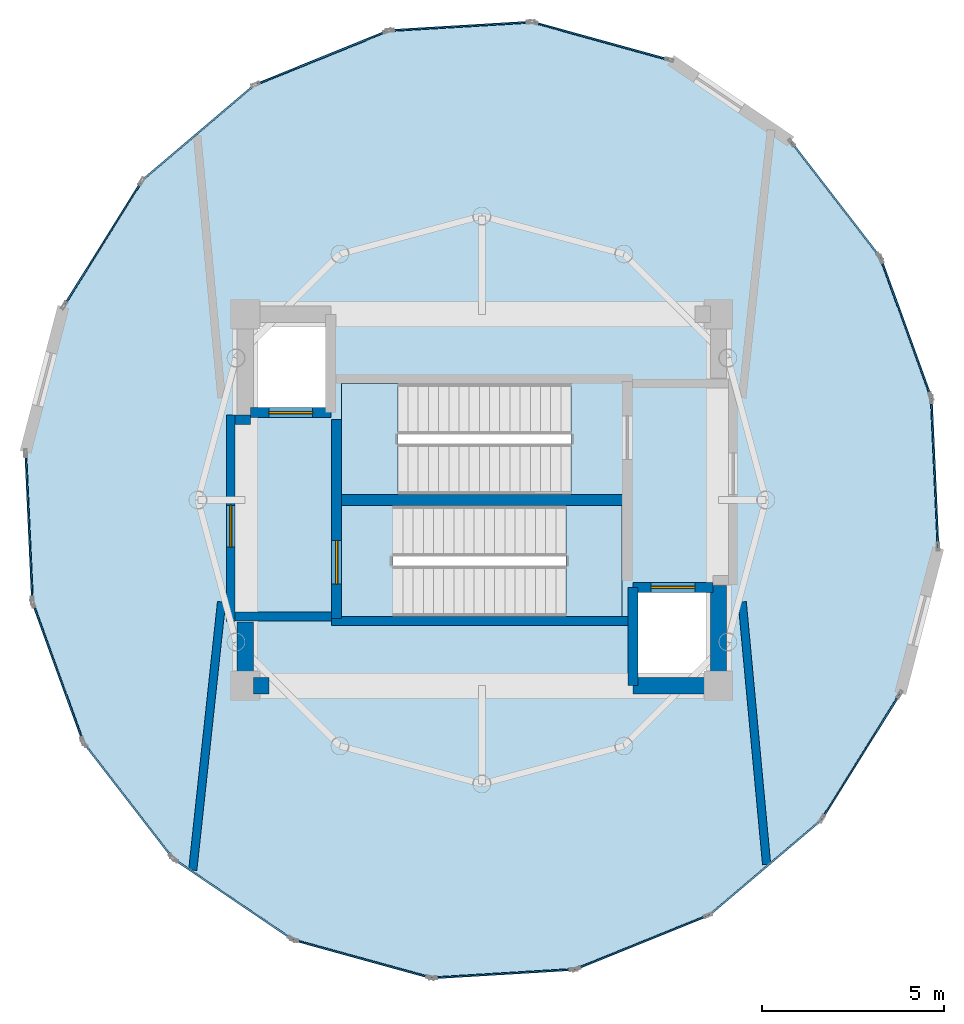
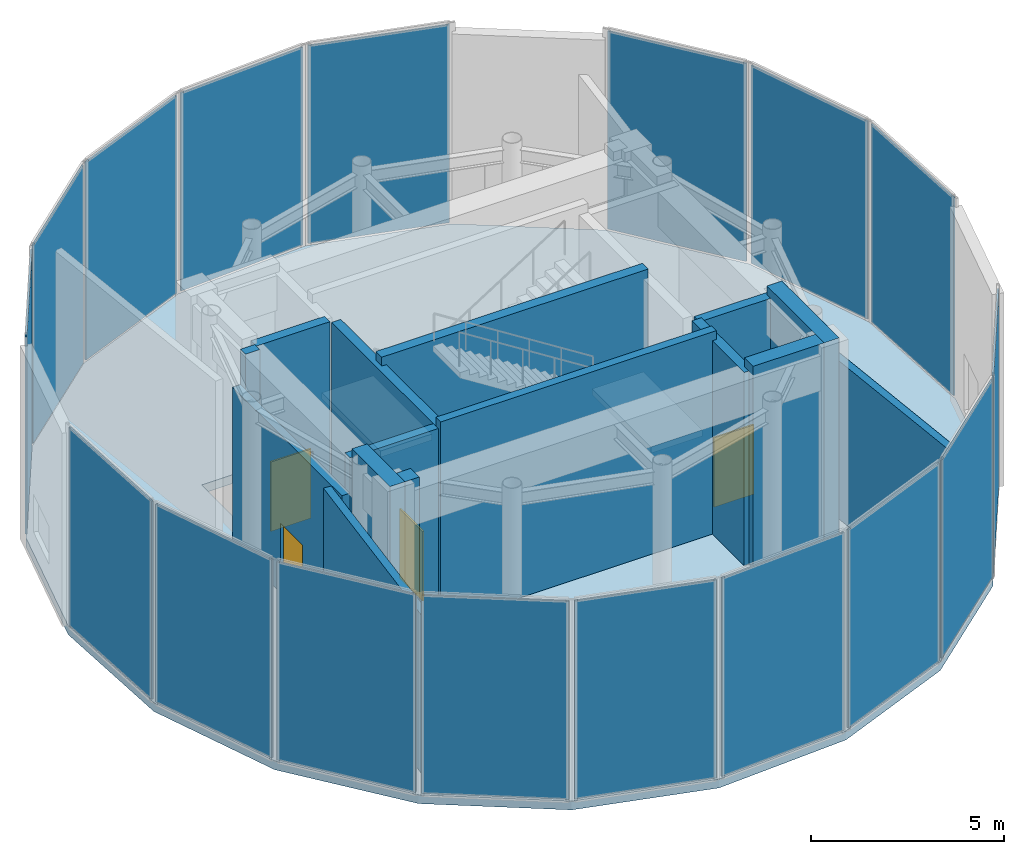
# One storey, part 8 of 10: 17 plates, 15 walls, 4 doors, 3 slabs, 4 openings, 19 elements without a shape of their own.
"""IFC4 building model written with IfcOpenShell, lengths in metres."""

from ifc_helpers import new_model, si_unit, direction, frame, frame_2d, origin, origin_2d, place, context, subcontext, project, spatial, polyline, rectangle, outline, extrude, source, transform, mapped, material, layer, layer_set, type_object, element, fill, aggregate, save


model = new_model("IFC4")

# Units and contexts
model_context = context("Model", 3, precision=1e-05, world=origin(), true_north=direction((0.0, 1.0)))
body_context = subcontext(model_context, "Body", "Model", "MODEL_VIEW")
ifc_project = project(units=[si_unit("LENGTHUNIT", "METRE"), si_unit("AREAUNIT", "SQUARE_METRE"), si_unit("VOLUMEUNIT", "CUBIC_METRE"), si_unit("PLANEANGLEUNIT", "RADIAN"), si_unit("MASSUNIT", "GRAM", prefix="KILO")], contexts=[model_context])

# Site, building, storey
site_placement = place(None, origin())
site = spatial("IfcSite", under=ifc_project, at=site_placement, CompositionType="ELEMENT")
building_placement = place(site_placement, origin())
building = spatial("IfcBuilding", under=site, at=building_placement, Name="Solvirekh Grand Hotel", CompositionType="ELEMENT")
storey_placement = place(building_placement, frame((0.0, 0.0, 308.199951171875)))
storey = spatial("IfcBuildingStorey", under=building, at=storey_placement, Name="L79", CompositionType="ELEMENT", Elevation=308.199951171875)

# Stair, slab
ifc_material_1 = material(Name="Concrete C40/50", Category="concrete")
stair_type = type_object("IfcStairType", Name="Stair_Core_1450", PredefinedType="HALF_TURN_STAIR", material=ifc_material_1)
stair_1_placement = place(storey_placement, origin())
stair_1 = element("IfcStair", 1, at=stair_1_placement, inside=storey, type_object=stair_type, Name="L79 Enclosed exit stair ST-1", PredefinedType="HALF_TURN_STAIR")
ifc_layer_1 = layer(ifc_material_1, 0.199951171875)
ifc_layer_set_1 = layer_set([ifc_layer_1], Name="Concrete C40/50")
slab_type_1 = type_object("IfcSlabType", Name="Landing_Stair_200", PredefinedType="LANDING", material=ifc_layer_set_1)
slab_1_placement = place(storey_placement, frame((0.0, 0.0, 3.0)))
slab_1 = element("IfcSlab", 2, at=slab_1_placement, type_object=slab_type_1, Name="ST-1 landing 1", PredefinedType="LANDING", context=body_context, shape_type="SweptSolid", body=[
    extrude(outline(polyline([(2.31005859375, -3.199951171875), (3.85009765625, -3.199951171875), (3.85009765625, -0.14990234375), (2.31005859375, -0.14990234375), (2.31005859375, -3.199951171875)])), origin(), (0.0, 0.0, 1.0), 0.199951171875),
])
aggregate(stair_1, [slab_1])

stair_2_placement = place(storey_placement, origin())
stair_2 = element("IfcStair", 3, at=stair_2_placement, inside=storey, type_object=stair_type, Name="L79 Enclosed exit stair ST-2", PredefinedType="HALF_TURN_STAIR")
slab_2_placement = place(storey_placement, frame((0.0, 0.0, 3.0)))
slab_2 = element("IfcSlab", 4, at=slab_2_placement, type_object=slab_type_1, Name="ST-2 landing 1", PredefinedType="LANDING", context=body_context, shape_type="SweptSolid", body=[
    extrude(outline(polyline([(-2.31005859375, 3.199951171875), (-3.85009765625, 3.199951171875), (-3.85009765625, 0.14990234375), (-2.31005859375, 0.14990234375), (-2.31005859375, 3.199951171875)])), origin(), (0.0, 0.0, 1.0), 0.199951171875),
])
aggregate(stair_2, [slab_2])

# Slab
ifc_layer_2 = layer(ifc_material_1, 0.280029296875)
ifc_layer_set_2 = layer_set([ifc_layer_2], Name="Concrete C40/50")
slab_type_2 = type_object("IfcSlabType", Name="Slab_Crown_280", PredefinedType="FLOOR", material=ifc_layer_set_2)
slab_3_placement = place(storey_placement, frame((0.0, 0.0, -0.280029296875)))
element("IfcSlab", 5, at=slab_3_placement, inside=storey, type_object=slab_type_2, Name="L79 structural floor slab", PredefinedType="FLOOR", context=body_context, shape_type="SweptSolid", body=[
    extrude(outline(polyline([(-1.3798828125, -13.1279296875), (2.56005859375, -12.89208984375), (6.2490234375, -11.39501953125), (9.326904296875, -8.781982421875), (11.490966796875, -5.30908203125), (12.531005859375, -1.31689453125), (12.343994140625, 2.803955078125), (10.948974609375, 6.65087890625), (8.48193359375, 9.845947265625), (5.18505859375, 12.077880859375), (1.3798828125, 13.1279296875), (-2.56005859375, 12.89208984375), (-6.2490234375, 11.39501953125), (-9.326904296875, 8.781982421875), (-11.490966796875, 5.30908203125), (-12.531005859375, 1.31689453125), (-12.343994140625, -2.803955078125), (-10.948974609375, -6.65087890625), (-8.48193359375, -9.845947265625), (-5.18505859375, -12.077880859375), (-1.3798828125, -13.1279296875)]), holes=[polyline([(-2.444091796875, -0.14990234375), (3.85009765625, -0.14990234375), (3.85009765625, -3.199951171875), (-2.444091796875, -3.199951171875), (-2.444091796875, -0.14990234375)]), polyline([(2.444091796875, 0.14990234375), (-3.85009765625, 0.14990234375), (-3.85009765625, 3.199951171875), (2.444091796875, 3.199951171875), (2.444091796875, 0.14990234375)]), polyline([(-6.35009765625, 5.10009765625), (-4.14990234375, 5.10009765625), (-4.14990234375, 2.39990234375), (-6.35009765625, 2.39990234375), (-6.35009765625, 5.10009765625)]), polyline([(4.14990234375, -2.39990234375), (6.35009765625, -2.39990234375), (6.35009765625, -5.10009765625), (4.14990234375, -5.10009765625), (4.14990234375, -2.39990234375)])]), origin(), (0.0, 0.0, 1.0), 0.280029296875),
])

# Curtain wall, plate
ifc_material_2 = material(Name="Anodized Bronze Aluminium 6063-T6", Category="aluminium")
ifc_layer_3 = layer(ifc_material_2, 0.219970703125)
ifc_layer_set_3 = layer_set([ifc_layer_3], Name="Anodized Bronze Aluminium 6063-T6")
curtain_wall_type = type_object("IfcCurtainWallType", Name="CW_Sys6_CrownFacetedPointCW", PredefinedType="NOTDEFINED", material=ifc_layer_set_3)
curtain_wall_1_placement = place(storey_placement, origin())
curtain_wall_1 = element("IfcCurtainWall", 6, at=curtain_wall_1_placement, inside=storey, type_object=curtain_wall_type, Name="L79 unitised bronze-glass curtain wall CW-L79-C01", PredefinedType="NOTDEFINED")
ifc_material_3 = material(Name="Champagne Low-Iron Crown Laminated Glass", Category="glass")
ifc_layer_4 = layer(ifc_material_3, 0.0458984375)
ifc_layer_set_4 = layer_set([ifc_layer_4], Name="Champagne Low-Iron Crown Laminated Glass")
plate_type = type_object("IfcPlateType", Name="CWPanel_Crown_46", PredefinedType="CURTAIN_PANEL", material=ifc_layer_set_4)
shared_shape_1 = source(origin(), body_context, "Body", "SweptSolid", [
    extrude(rectangle(XDim=3.797119140625, YDim=0.0458984375, at=origin_2d()), origin(), (0.0, 0.0, 1.0), 6.27001953125),
])
plate_1_placement = place(storey_placement, frame((0.590087890625, -13.010009765625, 0.06494140625), z_axis=(0.0, 0.0, 1.0), x_axis=(0.99821089902, 0.059791312727, 0.0)))
plate_1 = element("IfcPlate", 7, at=plate_1_placement, type_object=plate_type, Name="U06 panel 1.1", PredefinedType="CURTAIN_PANEL", context=body_context, shape_type="MappedRepresentation", body=[
    mapped(shared_shape_1, transform((0.0, 0.0, 0.0), x_axis=(1.0, 0.0, 0.0), y_axis=(0.0, 1.0, 0.0), z_axis=(0.0, 0.0, 1.0), scale=1.0)),
])
aggregate(curtain_wall_1, [plate_1])

curtain_wall_2_placement = place(storey_placement, origin())
curtain_wall_2 = element("IfcCurtainWall", 8, at=curtain_wall_2_placement, inside=storey, type_object=curtain_wall_type, Name="L79 unitised bronze-glass curtain wall CW-L79-C10", PredefinedType="NOTDEFINED")
plate_2_placement = place(storey_placement, frame((3.282470703125, 12.60302734375, 0.06494140625), z_axis=(0.0, 0.0, 1.0), x_axis=(-0.963970219822, 0.266010178933, 0.0)))
plate_2 = element("IfcPlate", 9, at=plate_2_placement, type_object=plate_type, Name="U06 panel 1.1", PredefinedType="CURTAIN_PANEL", context=body_context, shape_type="MappedRepresentation", body=[
    mapped(shared_shape_1, transform((0.0, 0.0, 0.0), x_axis=(1.0, 0.0, 0.0), y_axis=(0.0, 1.0, 0.0), z_axis=(0.0, 0.0, 1.0), scale=1.0)),
])
aggregate(curtain_wall_2, [plate_2])

curtain_wall_3_placement = place(storey_placement, origin())
curtain_wall_3 = element("IfcCurtainWall", 10, at=curtain_wall_3_placement, inside=storey, type_object=curtain_wall_type, Name="L79 unitised bronze-glass curtain wall CW-L79-C11", PredefinedType="NOTDEFINED")
plate_3_placement = place(storey_placement, frame((-0.590087890625, 13.010009765625, 0.06494140625), z_axis=(0.0, 0.0, 1.0), x_axis=(-0.99821089902, -0.059791312727, 0.0)))
plate_3 = element("IfcPlate", 11, at=plate_3_placement, type_object=plate_type, Name="U06 panel 1.1", PredefinedType="CURTAIN_PANEL", context=body_context, shape_type="MappedRepresentation", body=[
    mapped(shared_shape_1, transform((0.0, 0.0, 0.0), x_axis=(1.0, 0.0, 0.0), y_axis=(0.0, 1.0, 0.0), z_axis=(0.0, 0.0, 1.0), scale=1.0)),
])
aggregate(curtain_wall_3, [plate_3])

curtain_wall_4_placement = place(storey_placement, origin())
curtain_wall_4 = element("IfcCurtainWall", 12, at=curtain_wall_4_placement, inside=storey, type_object=curtain_wall_type, Name="L79 unitised bronze-glass curtain wall CW-L79-C20", PredefinedType="NOTDEFINED")
plate_4_placement = place(storey_placement, frame((-3.282470703125, -12.60302734375, 0.06494140625), z_axis=(0.0, 0.0, 1.0), x_axis=(0.963970219822, -0.266010178933, 0.0)))
plate_4 = element("IfcPlate", 13, at=plate_4_placement, type_object=plate_type, Name="U06 panel 1.1", PredefinedType="CURTAIN_PANEL", context=body_context, shape_type="MappedRepresentation", body=[
    mapped(shared_shape_1, transform((0.0, 0.0, 0.0), x_axis=(1.0, 0.0, 0.0), y_axis=(0.0, 1.0, 0.0), z_axis=(0.0, 0.0, 1.0), scale=1.0)),
])
aggregate(curtain_wall_4, [plate_4])

curtain_wall_5_placement = place(storey_placement, origin())
curtain_wall_5 = element("IfcCurtainWall", 14, at=curtain_wall_5_placement, inside=storey, type_object=curtain_wall_type, Name="L79 unitised bronze-glass curtain wall CW-L79-C02", PredefinedType="NOTDEFINED")
shared_shape_2 = source(origin(), body_context, "Body", "SweptSolid", [
    extrude(rectangle(XDim=3.8310546875, YDim=0.0458984375, at=origin_2d()), origin(), (0.0, 0.0, 1.0), 6.27001953125),
])
plate_5_placement = place(storey_placement, frame((4.404541015625, -12.1435546875, 0.06494140625), z_axis=(0.0, 0.0, 1.0), x_axis=(0.926611575042, 0.376019931651, 0.0)))
plate_5 = element("IfcPlate", 15, at=plate_5_placement, type_object=plate_type, Name="U06 panel 1.1", PredefinedType="CURTAIN_PANEL", context=body_context, shape_type="MappedRepresentation", body=[
    mapped(shared_shape_2, transform((0.0, 0.0, 0.0), x_axis=(1.0, 0.0, 0.0), y_axis=(0.0, 1.0, 0.0), z_axis=(0.0, 0.0, 1.0), scale=1.0)),
])
aggregate(curtain_wall_5, [plate_5])

curtain_wall_6_placement = place(storey_placement, origin())
curtain_wall_6 = element("IfcCurtainWall", 16, at=curtain_wall_6_placement, inside=storey, type_object=curtain_wall_type, Name="L79 unitised bronze-glass curtain wall CW-L79-C12", PredefinedType="NOTDEFINED")
plate_6_placement = place(storey_placement, frame((-4.404541015625, 12.1435546875, 0.06494140625), z_axis=(0.0, 0.0, 1.0), x_axis=(-0.926611575042, -0.376019931651, 0.0)))
plate_6 = element("IfcPlate", 17, at=plate_6_placement, type_object=plate_type, Name="U06 panel 1.1", PredefinedType="CURTAIN_PANEL", context=body_context, shape_type="MappedRepresentation", body=[
    mapped(shared_shape_2, transform((0.0, 0.0, 0.0), x_axis=(1.0, 0.0, 0.0), y_axis=(0.0, 1.0, 0.0), z_axis=(0.0, 0.0, 1.0), scale=1.0)),
])
aggregate(curtain_wall_6, [plate_6])

curtain_wall_7_placement = place(storey_placement, origin())
curtain_wall_7 = element("IfcCurtainWall", 18, at=curtain_wall_7_placement, inside=storey, type_object=curtain_wall_type, Name="L79 unitised bronze-glass curtain wall CW-L79-C03", PredefinedType="NOTDEFINED")
shared_shape_3 = source(origin(), body_context, "Body", "SweptSolid", [
    extrude(rectangle(XDim=3.887451171875, YDim=0.0458984375, at=origin_2d()), origin(), (0.0, 0.0, 1.0), 6.27001953125),
])
plate_7_placement = place(storey_placement, frame((7.7880859375, -10.08837890625, 0.06494140625), z_axis=(0.0, 0.0, 1.0), x_axis=(0.762342495022, 0.647173794498, 0.0)))
plate_7 = element("IfcPlate", 19, at=plate_7_placement, type_object=plate_type, Name="U06 panel 1.1", PredefinedType="CURTAIN_PANEL", context=body_context, shape_type="MappedRepresentation", body=[
    mapped(shared_shape_3, transform((0.0, 0.0, 0.0), x_axis=(1.0, 0.0, 0.0), y_axis=(0.0, 1.0, 0.0), z_axis=(0.0, 0.0, 1.0), scale=1.0)),
])
aggregate(curtain_wall_7, [plate_7])

curtain_wall_8_placement = place(storey_placement, origin())
curtain_wall_8 = element("IfcCurtainWall", 20, at=curtain_wall_8_placement, inside=storey, type_object=curtain_wall_type, Name="L79 unitised bronze-glass curtain wall CW-L79-C13", PredefinedType="NOTDEFINED")
plate_8_placement = place(storey_placement, frame((-7.7880859375, 10.08837890625, 0.06494140625), z_axis=(0.0, 0.0, 1.0), x_axis=(-0.762342495022, -0.647173794498, 0.0)))
plate_8 = element("IfcPlate", 21, at=plate_8_placement, type_object=plate_type, Name="U06 panel 1.1", PredefinedType="CURTAIN_PANEL", context=body_context, shape_type="MappedRepresentation", body=[
    mapped(shared_shape_3, transform((0.0, 0.0, 0.0), x_axis=(1.0, 0.0, 0.0), y_axis=(0.0, 1.0, 0.0), z_axis=(0.0, 0.0, 1.0), scale=1.0)),
])
aggregate(curtain_wall_8, [plate_8])

curtain_wall_9_placement = place(storey_placement, origin())
curtain_wall_9 = element("IfcCurtainWall", 22, at=curtain_wall_9_placement, inside=storey, type_object=curtain_wall_type, Name="L79 unitised bronze-glass curtain wall CW-L79-C04", PredefinedType="NOTDEFINED")
shared_shape_4 = source(origin(), body_context, "Body", "SweptSolid", [
    extrude(rectangle(XDim=3.942138671875, YDim=0.0458984375, at=origin_2d()), origin(), (0.0, 0.0, 1.0), 6.27001953125),
])
plate_9_placement = place(storey_placement, frame((10.408935546875, -7.04541015625, 0.06494140625), z_axis=(0.0, 0.0, 1.0), x_axis=(0.528834212245, 0.848725147477, 0.0)))
plate_9 = element("IfcPlate", 23, at=plate_9_placement, type_object=plate_type, Name="U06 panel 1.1", PredefinedType="CURTAIN_PANEL", context=body_context, shape_type="MappedRepresentation", body=[
    mapped(shared_shape_4, transform((0.0, 0.0, 0.0), x_axis=(1.0, 0.0, 0.0), y_axis=(0.0, 1.0, 0.0), z_axis=(0.0, 0.0, 1.0), scale=1.0)),
])
aggregate(curtain_wall_9, [plate_9])

curtain_wall_10_placement = place(storey_placement, origin())
curtain_wall_10 = element("IfcCurtainWall", 24, at=curtain_wall_10_placement, inside=storey, type_object=curtain_wall_type, Name="L79 unitised bronze-glass curtain wall CW-L79-C07", PredefinedType="NOTDEFINED")
plate_10_placement = place(storey_placement, frame((11.646484375, 4.7275390625, 0.06494140625), z_axis=(0.0, 0.0, 1.0), x_axis=(-0.340899216983, 0.940099847814, 0.0)))
plate_10 = element("IfcPlate", 25, at=plate_10_placement, type_object=plate_type, Name="U06 panel 1.1", PredefinedType="CURTAIN_PANEL", context=body_context, shape_type="MappedRepresentation", body=[
    mapped(shared_shape_4, transform((0.0, 0.0, 0.0), x_axis=(1.0, 0.0, 0.0), y_axis=(0.0, 1.0, 0.0), z_axis=(0.0, 0.0, 1.0), scale=1.0)),
])
aggregate(curtain_wall_10, [plate_10])

curtain_wall_11_placement = place(storey_placement, origin())
curtain_wall_11 = element("IfcCurtainWall", 26, at=curtain_wall_11_placement, inside=storey, type_object=curtain_wall_type, Name="L79 unitised bronze-glass curtain wall CW-L79-C14", PredefinedType="NOTDEFINED")
plate_11_placement = place(storey_placement, frame((-10.408935546875, 7.04541015625, 0.06494140625), z_axis=(0.0, 0.0, 1.0), x_axis=(-0.528834212245, -0.848725147477, 0.0)))
plate_11 = element("IfcPlate", 27, at=plate_11_placement, type_object=plate_type, Name="U06 panel 1.1", PredefinedType="CURTAIN_PANEL", context=body_context, shape_type="MappedRepresentation", body=[
    mapped(shared_shape_4, transform((0.0, 0.0, 0.0), x_axis=(1.0, 0.0, 0.0), y_axis=(0.0, 1.0, 0.0), z_axis=(0.0, 0.0, 1.0), scale=1.0)),
])
aggregate(curtain_wall_11, [plate_11])

curtain_wall_12_placement = place(storey_placement, origin())
curtain_wall_12 = element("IfcCurtainWall", 28, at=curtain_wall_12_placement, inside=storey, type_object=curtain_wall_type, Name="L79 unitised bronze-glass curtain wall CW-L79-C17", PredefinedType="NOTDEFINED")
plate_12_placement = place(storey_placement, frame((-11.646484375, -4.7275390625, 0.06494140625), z_axis=(0.0, 0.0, 1.0), x_axis=(0.340899216983, -0.940099847814, 0.0)))
plate_12 = element("IfcPlate", 29, at=plate_12_placement, type_object=plate_type, Name="U06 panel 1.1", PredefinedType="CURTAIN_PANEL", context=body_context, shape_type="MappedRepresentation", body=[
    mapped(shared_shape_4, transform((0.0, 0.0, 0.0), x_axis=(1.0, 0.0, 0.0), y_axis=(0.0, 1.0, 0.0), z_axis=(0.0, 0.0, 1.0), scale=1.0)),
])
aggregate(curtain_wall_12, [plate_12])

curtain_wall_13_placement = place(storey_placement, origin())
curtain_wall_13 = element("IfcCurtainWall", 30, at=curtain_wall_13_placement, inside=storey, type_object=curtain_wall_type, Name="L79 unitised bronze-glass curtain wall CW-L79-C06", PredefinedType="NOTDEFINED")
shared_shape_5 = source(origin(), body_context, "Body", "SweptSolid", [
    extrude(rectangle(XDim=3.975341796875, YDim=0.0458984375, at=origin_2d()), origin(), (0.0, 0.0, 1.0), 6.27001953125),
])
plate_13_placement = place(storey_placement, frame((12.4375, 0.743408203125, 0.06494140625), z_axis=(0.0, 0.0, 1.0), x_axis=(-0.045330689322, 0.998972035948, 0.0)))
plate_13 = element("IfcPlate", 31, at=plate_13_placement, type_object=plate_type, Name="U06 panel 1.1", PredefinedType="CURTAIN_PANEL", context=body_context, shape_type="MappedRepresentation", body=[
    mapped(shared_shape_5, transform((0.0, 0.0, 0.0), x_axis=(1.0, 0.0, 0.0), y_axis=(0.0, 1.0, 0.0), z_axis=(0.0, 0.0, 1.0), scale=1.0)),
])
aggregate(curtain_wall_13, [plate_13])

curtain_wall_14_placement = place(storey_placement, origin())
curtain_wall_14 = element("IfcCurtainWall", 32, at=curtain_wall_14_placement, inside=storey, type_object=curtain_wall_type, Name="L79 unitised bronze-glass curtain wall CW-L79-C16", PredefinedType="NOTDEFINED")
plate_14_placement = place(storey_placement, frame((-12.4375, -0.743408203125, 0.06494140625), z_axis=(0.0, 0.0, 1.0), x_axis=(0.045330689322, -0.998972035948, 0.0)))
plate_14 = element("IfcPlate", 33, at=plate_14_placement, type_object=plate_type, Name="U06 panel 1.1", PredefinedType="CURTAIN_PANEL", context=body_context, shape_type="MappedRepresentation", body=[
    mapped(shared_shape_5, transform((0.0, 0.0, 0.0), x_axis=(1.0, 0.0, 0.0), y_axis=(0.0, 1.0, 0.0), z_axis=(0.0, 0.0, 1.0), scale=1.0)),
])
aggregate(curtain_wall_14, [plate_14])

curtain_wall_15_placement = place(storey_placement, origin())
curtain_wall_15 = element("IfcCurtainWall", 34, at=curtain_wall_15_placement, inside=storey, type_object=curtain_wall_type, Name="L79 unitised bronze-glass curtain wall CW-L79-C08", PredefinedType="NOTDEFINED")
shared_shape_6 = source(origin(), body_context, "Body", "SweptSolid", [
    extrude(rectangle(XDim=3.88671875, YDim=0.0458984375, at=origin_2d()), origin(), (0.0, 0.0, 1.0), 6.27001953125),
])
plate_15_placement = place(storey_placement, frame((9.715576171875, 8.24853515625, 0.06494140625), z_axis=(0.0, 0.0, 1.0), x_axis=(-0.611158384514, 0.791508325312, 0.0)))
plate_15 = element("IfcPlate", 35, at=plate_15_placement, type_object=plate_type, Name="U06 panel 1.1", PredefinedType="CURTAIN_PANEL", context=body_context, shape_type="MappedRepresentation", body=[
    mapped(shared_shape_6, transform((0.0, 0.0, 0.0), x_axis=(1.0, 0.0, 0.0), y_axis=(0.0, 1.0, 0.0), z_axis=(0.0, 0.0, 1.0), scale=1.0)),
])
aggregate(curtain_wall_15, [plate_15])

curtain_wall_16_placement = place(storey_placement, origin())
curtain_wall_16 = element("IfcCurtainWall", 36, at=curtain_wall_16_placement, inside=storey, type_object=curtain_wall_type, Name="L79 unitised bronze-glass curtain wall CW-L79-C18", PredefinedType="NOTDEFINED")
plate_16_placement = place(storey_placement, frame((-9.715576171875, -8.24853515625, 0.06494140625), z_axis=(0.0, 0.0, 1.0), x_axis=(0.611158384514, -0.791508325312, 0.0)))
plate_16 = element("IfcPlate", 37, at=plate_16_placement, type_object=plate_type, Name="U06 panel 1.1", PredefinedType="CURTAIN_PANEL", context=body_context, shape_type="MappedRepresentation", body=[
    mapped(shared_shape_6, transform((0.0, 0.0, 0.0), x_axis=(1.0, 0.0, 0.0), y_axis=(0.0, 1.0, 0.0), z_axis=(0.0, 0.0, 1.0), scale=1.0)),
])
aggregate(curtain_wall_16, [plate_16])

curtain_wall_17_placement = place(storey_placement, origin())
curtain_wall_17 = element("IfcCurtainWall", 38, at=curtain_wall_17_placement, inside=storey, type_object=curtain_wall_type, Name="L79 unitised bronze-glass curtain wall CW-L79-C19", PredefinedType="NOTDEFINED")
shared_shape_7 = source(origin(), body_context, "Body", "SweptSolid", [
    extrude(rectangle(XDim=3.83154296875, YDim=0.0458984375, at=origin_2d()), origin(), (0.0, 0.0, 1.0), 6.27001953125),
])
plate_17_placement = place(storey_placement, frame((-6.83349609375, -10.9619140625, 0.06494140625), z_axis=(0.0, 0.0, 1.0), x_axis=(0.828087946672, -0.560598209573, 0.0)))
plate_17 = element("IfcPlate", 39, at=plate_17_placement, type_object=plate_type, Name="U06 panel 1.1", PredefinedType="CURTAIN_PANEL", context=body_context, shape_type="MappedRepresentation", body=[
    mapped(shared_shape_7, transform((0.0, 0.0, 0.0), x_axis=(1.0, 0.0, 0.0), y_axis=(0.0, 1.0, 0.0), z_axis=(0.0, 0.0, 1.0), scale=1.0)),
])
aggregate(curtain_wall_17, [plate_17])

# Wall
ifc_material_4 = material(Name="Concrete C50/60", Category="concrete")
ifc_layer_5 = layer(ifc_material_4, 0.35009765625)
ifc_layer_set_5 = layer_set([ifc_layer_5], Name="Concrete C50/60")
wall_type_1 = type_object("IfcWallType", Name="CoreDivWall_RC350", PredefinedType="SOLIDWALL", material=ifc_layer_set_5)
wall_1_placement = place(storey_placement, frame((-4.1298828125, -3.324951171875, 0.0), z_axis=(0.0, 0.0, 1.0), x_axis=(1.0, 0.0, 0.0)))
element("IfcWall", 40, at=wall_1_placement, inside=storey, type_object=wall_type_1, Name="L79 core stair box wall ST-S", PredefinedType="SOLIDWALL", context=body_context, shape_type="SweptSolid", body=[
    extrude(rectangle(XDim=8.259765625, YDim=0.25, at=frame_2d((4.1298828125, 0.0))), origin(), (0.0, 0.0, 1.0), 6.400146484375),
])

# Wall, opening, door
ifc_layer_6 = layer(ifc_material_1, 0.280029296875)
ifc_layer_set_6 = layer_set([ifc_layer_6], Name="Concrete C40/50")
wall_type_2 = type_object("IfcWallType", Name="CoreShaftWall_RC280", PredefinedType="SOLIDWALL", material=ifc_layer_set_6)
wall_2_placement = place(storey_placement, frame((-6.35009765625, 2.39990234375, 0.0), z_axis=(0.0, 0.0, 1.0), x_axis=(1.0, 0.0, 0.0)))
wall_2 = element("IfcWall", 41, at=wall_2_placement, inside=storey, type_object=wall_type_2, Name="L79 FL-1 hoistway S wall", PredefinedType="SOLIDWALL", context=body_context, shape_type="SweptSolid", body=[
    extrude(rectangle(XDim=2.2001953125, YDim=0.280029296875, at=frame_2d((1.10009765625, 0.0))), origin(), (0.0, 0.0, 1.0), 6.1201171875),
])
opening_1_placement = place(wall_2_placement, frame((0.5, 0.0, 0.0)))
opening_1 = element("IfcOpeningElement", 42, at=opening_1_placement, cuts=wall_2, Name="Opening LD02", PredefinedType="OPENING", context=body_context, shape_type="SweptSolid", body=[
    extrude(rectangle(XDim=1.199951171875, YDim=2.199951171875, at=frame_2d((0.60009765625, 1.10009765625))), frame((0.0, 0.14990234375, 0.0), z_axis=(0.0, -1.0, 0.0), x_axis=(1.0, 0.0, 0.0)), (0.0, 0.0, 1.0), 0.300048828125),
])
ifc_material_5 = material(Name="Fire-Rated Steel Door Assembly", Category="steel")
door_type_1 = type_object("IfcDoorType", Name="Door_LiftFF_1200X2200", OperationType="SLIDING_TO_LEFT", PredefinedType="DOOR", material=ifc_material_5)
door_1_placement = place(opening_1_placement, origin())
door_1 = element("IfcDoor", 43, at=door_1_placement, inside=storey, type_object=door_type_1, Name="L79 FL-1 sliding lift landing door", OperationType="SLIDING_TO_LEFT", OverallHeight=2.199951171875, OverallWidth=1.199951171875, PredefinedType="DOOR", context=body_context, shape_type="SweptSolid", body=[
    extrude(rectangle(XDim=1.199951171875, YDim=2.199951171875, at=frame_2d((0.60009765625, 1.10009765625))), frame((0.0, 0.02490234375, 0.0), z_axis=(0.0, -1.0, 0.0), x_axis=(1.0, 0.0, 0.0)), (0.0, 0.0, 1.0), 0.050048828125),
])
fill(opening_1, door_1)

wall_3_placement = place(storey_placement, frame((6.35009765625, -2.39990234375, 0.0), z_axis=(0.0, 0.0, 1.0), x_axis=(-1.0, 0.0, 0.0)))
wall_3 = element("IfcWall", 44, at=wall_3_placement, inside=storey, type_object=wall_type_2, Name="L79 FL-2 hoistway N wall", PredefinedType="SOLIDWALL", context=body_context, shape_type="SweptSolid", body=[
    extrude(rectangle(XDim=2.2001953125, YDim=0.280029296875, at=frame_2d((1.10009765625, 0.0))), origin(), (0.0, 0.0, 1.0), 6.1201171875),
])
opening_2_placement = place(wall_3_placement, frame((0.5, 0.0, 0.0)))
opening_2 = element("IfcOpeningElement", 45, at=opening_2_placement, cuts=wall_3, Name="Opening LD02", PredefinedType="OPENING", context=body_context, shape_type="SweptSolid", body=[
    extrude(rectangle(XDim=1.199951171875, YDim=2.199951171875, at=frame_2d((0.60009765625, 1.10009765625))), frame((0.0, 0.14990234375, 0.0), z_axis=(0.0, -1.0, 0.0), x_axis=(1.0, 0.0, 0.0)), (0.0, 0.0, 1.0), 0.300048828125),
])
door_2_placement = place(opening_2_placement, origin())
door_2 = element("IfcDoor", 46, at=door_2_placement, inside=storey, type_object=door_type_1, Name="L79 FL-2 sliding lift landing door", OperationType="SLIDING_TO_LEFT", OverallHeight=2.199951171875, OverallWidth=1.199951171875, PredefinedType="DOOR", context=body_context, shape_type="SweptSolid", body=[
    extrude(rectangle(XDim=1.199951171875, YDim=2.199951171875, at=frame_2d((0.60009765625, 1.10009765625))), frame((0.0, 0.02490234375, 0.0), z_axis=(0.0, -1.0, 0.0), x_axis=(1.0, 0.0, 0.0)), (0.0, 0.0, 1.0), 0.050048828125),
])
fill(opening_2, door_2)

# Wall
wall_4_placement = place(storey_placement, frame((4.14990234375, -2.39990234375, 0.0), z_axis=(0.0, 0.0, 1.0), x_axis=(0.0, -1.0, 0.0)))
element("IfcWall", 47, at=wall_4_placement, inside=storey, type_object=wall_type_2, Name="L79 FL-2 hoistway W wall", PredefinedType="SOLIDWALL", context=body_context, shape_type="SweptSolid", body=[
    extrude(rectangle(XDim=2.7001953125, YDim=0.280029296875, at=frame_2d((1.35009765625, 0.0))), origin(), (0.0, 0.0, 1.0), 6.1201171875),
])

# Wall, opening, door
wall_5_placement = place(storey_placement, frame((-3.989990234375, -3.25, 0.0), z_axis=(0.0, 0.0, 1.0), x_axis=(0.0, 1.0, 0.0)))
wall_5 = element("IfcWall", 48, at=wall_5_placement, inside=storey, type_object=wall_type_2, Name="L79 west stair landing enclosure wall", PredefinedType="SOLIDWALL", context=body_context, shape_type="SweptSolid", body=[
    extrude(rectangle(XDim=5.4599609375, YDim=0.280029296875, at=frame_2d((2.72998046875, 0.0))), origin(), (0.0, 0.0, 1.0), 6.1201171875),
])
opening_3_placement = place(wall_5_placement, frame((0.93701171875, 0.0, 0.0)))
opening_3 = element("IfcOpeningElement", 49, at=opening_3_placement, cuts=wall_5, Name="Opening D05", PredefinedType="OPENING", context=body_context, shape_type="SweptSolid", body=[
    extrude(rectangle(XDim=1.199951171875, YDim=2.199951171875, at=frame_2d((0.60009765625, 1.10009765625))), frame((0.0, 0.14990234375, 0.0), z_axis=(0.0, -1.0, 0.0), x_axis=(1.0, 0.0, 0.0)), (0.0, 0.0, 1.0), 0.300048828125),
])
door_type_2 = type_object("IfcDoorType", Name="Door_StairCore_1200X2200", OperationType="NOTDEFINED", PredefinedType="DOOR", material=ifc_material_5)
door_3_placement = place(opening_3_placement, origin())
door_3 = element("IfcDoor", 50, at=door_3_placement, inside=storey, type_object=door_type_2, Name="L79 exit stair ST-1 fire door", OperationType="SINGLE_SWING_RIGHT", OverallHeight=2.199951171875, OverallWidth=1.199951171875, PredefinedType="DOOR", context=body_context, shape_type="SweptSolid", body=[
    extrude(rectangle(XDim=1.199951171875, YDim=2.199951171875, at=frame_2d((0.60009765625, 1.10009765625))), frame((0.0, 0.02490234375, 0.0), z_axis=(0.0, -1.0, 0.0), x_axis=(1.0, 0.0, 0.0)), (0.0, 0.0, 1.0), 0.050048828125),
])
fill(opening_3, door_3)

# Walls
ifc_layer_7 = layer(ifc_material_4, 0.449951171875)
ifc_layer_set_7 = layer_set([ifc_layer_7], Name="Concrete C50/60")
wall_type_3 = type_object("IfcWallType", Name="CoreWall_RC450", PredefinedType="SHEAR", material=ifc_layer_set_7)
wall_6_placement = place(storey_placement, frame((-3.989990234375, 0.0, 0.0), z_axis=(0.0, 0.0, 1.0), x_axis=(1.0, 0.0, 0.0)))
element("IfcWall", 51, at=wall_6_placement, inside=storey, type_object=wall_type_3, Name="L79 central stair-spine shear wall", PredefinedType="SHEAR", context=body_context, shape_type="SweptSolid", body=[
    extrude(rectangle(XDim=7.97998046875, YDim=0.300048828125, at=frame_2d((3.989990234375, 0.0))), origin(), (0.0, 0.0, 1.0), 6.400146484375),
])
wall_7_placement = place(storey_placement, frame((-6.27490234375, -5.10009765625, 0.0), z_axis=(0.0, 0.0, 1.0), x_axis=(1.0, 0.0, 0.0)))
element("IfcWall", 52, at=wall_7_placement, inside=storey, type_object=wall_type_3, Name="L79 core corner shear wall SW-S", PredefinedType="SHEAR", context=body_context, shape_type="SweptSolid", body=[
    extrude(rectangle(XDim=0.4248046875, YDim=0.449951171875, at=frame_2d((0.21240234375, 0.0))), origin(), (0.0, 0.0, 1.0), 6.400146484375),
])
wall_8_placement = place(storey_placement, frame((4.14990234375, -5.10009765625, 0.0), z_axis=(0.0, 0.0, 1.0), x_axis=(1.0, 0.0, 0.0)))
element("IfcWall", 53, at=wall_8_placement, inside=storey, type_object=wall_type_3, Name="L79 core corner shear wall SE-S", PredefinedType="SHEAR", context=body_context, shape_type="SweptSolid", body=[
    extrude(rectangle(XDim=2.125, YDim=0.449951171875, at=frame_2d((1.0625, 0.0))), origin(), (0.0, 0.0, 1.0), 6.400146484375),
])
wall_9_placement = place(storey_placement, frame((-6.5, -5.324951171875, 0.0), z_axis=(0.0, 0.0, 1.0), x_axis=(0.0, 1.0, 0.0)))
element("IfcWall", 54, at=wall_9_placement, inside=storey, type_object=wall_type_3, Name="L79 core corner shear wall WS-W", PredefinedType="SHEAR", context=body_context, shape_type="SweptSolid", body=[
    extrude(rectangle(XDim=1.974853515625, YDim=0.449951171875, at=frame_2d((0.9873046875, 0.0))), origin(), (0.0, 0.0, 1.0), 6.400146484375),
])
wall_10_placement = place(storey_placement, frame((6.5, -5.324951171875, 0.0), z_axis=(0.0, 0.0, 1.0), x_axis=(0.0, 1.0, 0.0)))
element("IfcWall", 55, at=wall_10_placement, inside=storey, type_object=wall_type_3, Name="L79 core corner shear wall ES-E", PredefinedType="SHEAR", context=body_context, shape_type="SweptSolid", body=[
    extrude(rectangle(XDim=2.974853515625, YDim=0.449951171875, at=frame_2d((1.4873046875, 0.0))), origin(), (0.0, 0.0, 1.0), 6.400146484375),
])

# Wall, opening, door
ifc_material_6 = material(Name="Acoustic Gypsum Partition Assembly")
ifc_layer_8 = layer(ifc_material_6, 0.239990234375)
ifc_layer_set_8 = layer_set([ifc_layer_8], Name="Acoustic Gypsum Partition Assembly")
wall_type_4 = type_object("IfcWallType", Name="Part_Corridor_240", PredefinedType="PARTITIONING", material=ifc_layer_set_8)
wall_11_placement = place(storey_placement, frame((-6.89990234375, -3.330078125, 0.0), z_axis=(0.0, 0.0, 1.0), x_axis=(0.0, 1.0, 0.0)))
wall_11 = element("IfcWall", 56, at=wall_11_placement, inside=storey, type_object=wall_type_4, Name="L79 west firefighting lobby smoke screen wall", PredefinedType="PARTITIONING", context=body_context, shape_type="SweptSolid", body=[
    extrude(rectangle(XDim=5.670166015625, YDim=0.239990234375, at=frame_2d((2.8349609375, 0.0))), origin(), (0.0, 0.0, 1.0), 5.005126953125),
])
opening_4_placement = place(wall_11_placement, frame((2.033935546875, 0.0, 0.0)))
opening_4 = element("IfcOpeningElement", 57, at=opening_4_placement, cuts=wall_11, Name="Opening D06", PredefinedType="OPENING", context=body_context, shape_type="SweptSolid", body=[
    extrude(rectangle(XDim=1.14990234375, YDim=2.199951171875, at=frame_2d((0.574951171875, 1.10009765625))), frame((0.0, 0.1298828125, 0.0), z_axis=(0.0, -1.0, 0.0), x_axis=(1.0, 0.0, 0.0)), (0.0, 0.0, 1.0), 0.260009765625),
])
door_type_3 = type_object("IfcDoorType", Name="Door_FFLobby_1150X2200", OperationType="NOTDEFINED", PredefinedType="DOOR", material=ifc_material_5)
door_4_placement = place(opening_4_placement, origin())
door_4 = element("IfcDoor", 58, at=door_4_placement, inside=storey, type_object=door_type_3, Name="L79 west firefighting lobby smoke door", OperationType="SINGLE_SWING_RIGHT", OverallHeight=2.199951171875, OverallWidth=1.14990234375, PredefinedType="DOOR", context=body_context, shape_type="SweptSolid", body=[
    extrude(rectangle(XDim=1.14990234375, YDim=2.199951171875, at=frame_2d((0.574951171875, 1.10009765625))), frame((0.0, 0.02490234375, 0.0), z_axis=(0.0, -1.0, 0.0), x_axis=(1.0, 0.0, 0.0)), (0.0, 0.0, 1.0), 0.050048828125),
])
fill(opening_4, door_4)

# Walls
ifc_layer_9 = layer(ifc_material_6, 0.260009765625)
ifc_layer_set_9 = layer_set([ifc_layer_9], Name="Acoustic Gypsum Partition Assembly")
wall_type_5 = type_object("IfcWallType", Name="Part_LobbyFF_260", PredefinedType="PARTITIONING", material=ifc_layer_set_9)
wall_12_placement = place(storey_placement, frame((-6.77490234375, -3.199951171875, 0.0), z_axis=(0.0, 0.0, 1.0), x_axis=(1.0, 0.0, 0.0)))
element("IfcWall", 59, at=wall_12_placement, inside=storey, type_object=wall_type_5, Name="L79 west firefighting lobby south partition", PredefinedType="PARTITIONING", context=body_context, shape_type="SweptSolid", body=[
    extrude(rectangle(XDim=2.64501953125, YDim=0.260009765625, at=frame_2d((1.322509765625, 0.0))), origin(), (0.0, 0.0, 1.0), 6.1201171875),
])
wall_13_placement = place(storey_placement, frame((-6.77490234375, 2.2099609375, 0.0), z_axis=(0.0, 0.0, 1.0), x_axis=(1.0, 0.0, 0.0)))
element("IfcWall", 60, at=wall_13_placement, inside=storey, type_object=wall_type_5, Name="L79 west firefighting lobby NW cheek", PredefinedType="PARTITIONING", context=body_context, shape_type="SweptSolid", body=[
    extrude(rectangle(XDim=0.4248046875, YDim=0.260009765625, at=frame_2d((0.21240234375, 0.0))), origin(), (0.0, 0.0, 1.0), 6.1201171875),
])
ifc_material_7 = material(Name="Precast concrete C45/55", Category="concrete")
ifc_layer_10 = layer(ifc_material_7, 0.22509765625)
ifc_layer_set_10 = layer_set([ifc_layer_10], Name="Precast concrete C45/55")
wall_type_6 = type_object("IfcWallType", Name="Part_Plant_225", PredefinedType="PARTITIONING", material=ifc_layer_set_10)
wall_14_placement = place(storey_placement, frame((-7.14990234375, -2.800048828125, 0.0), z_axis=(0.0, 0.0, 1.0), x_axis=(-0.106801982795, -0.994280310813, 0.0)))
element("IfcWall", 61, at=wall_14_placement, inside=storey, type_object=wall_type_6, Name="L79 west crown plant south wall", PredefinedType="PARTITIONING", context=body_context, shape_type="SweptSolid", body=[
    extrude(rectangle(XDim=7.406494140625, YDim=0.22509765625, at=frame_2d((3.703125, 0.0))), origin(), (0.0, 0.0, 1.0), 5.005126953125),
])
wall_15_placement = place(storey_placement, frame((7.14990234375, -2.800048828125, 0.0), z_axis=(0.0, 0.0, 1.0), x_axis=(0.092563503102, -0.995706783091, 0.0)))
element("IfcWall", 62, at=wall_15_placement, inside=storey, type_object=wall_type_6, Name="L79 east crown plant south wall", PredefinedType="PARTITIONING", context=body_context, shape_type="SweptSolid", body=[
    extrude(rectangle(XDim=7.239990234375, YDim=0.22509765625, at=frame_2d((3.6201171875, 0.0))), origin(), (0.0, 0.0, 1.0), 5.005126953125),
])

save(model, "model.ifc")
